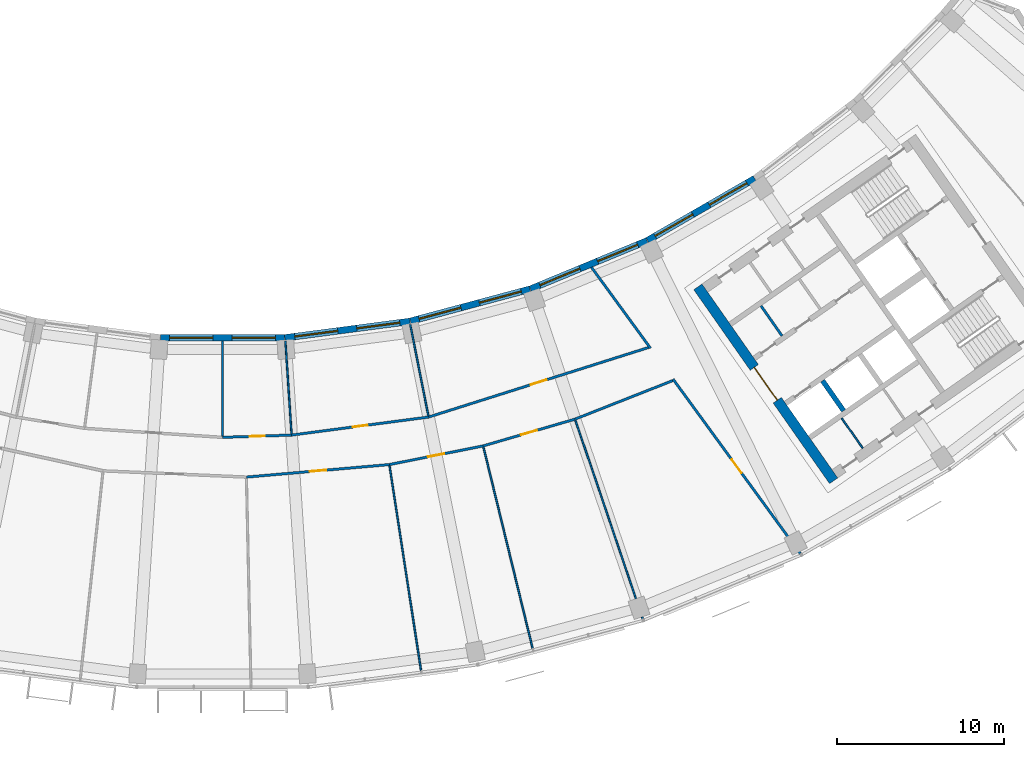
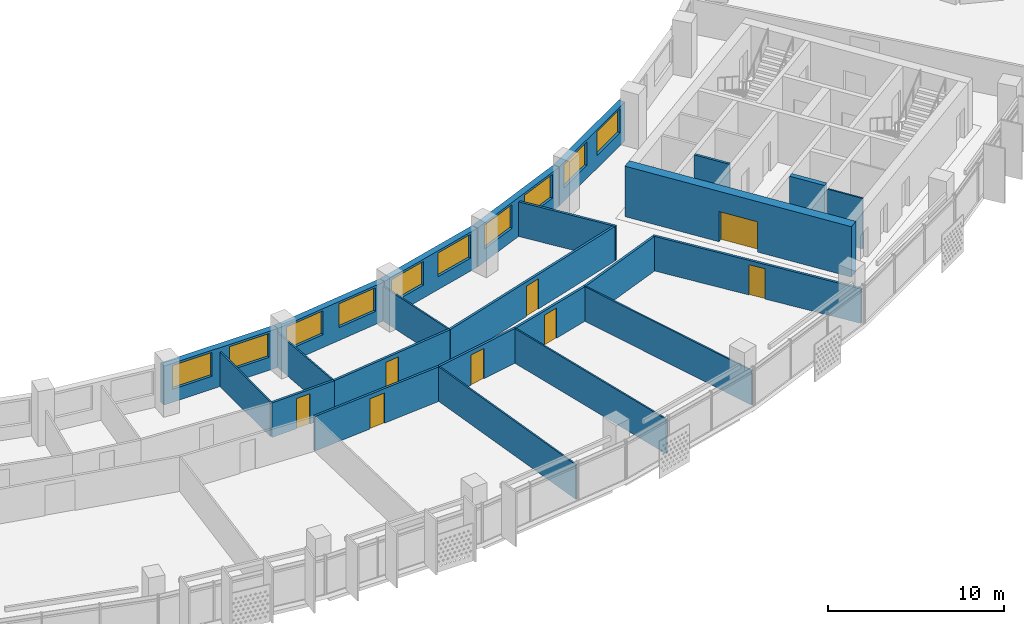
# One storey, part 6 of 27: 24 walls, 10 windows, 8 doors, 18 openings.
"""IFC4 building model written with IfcOpenShell, lengths in metres."""

from ifc_helpers import new_model, si_unit, direction, frame, frame_2d, origin, place, context, subcontext, project, spatial, rectangle, extrude, material, layer, layer_set, type_object, element, fill, save


model = new_model("IFC4")

# Units and contexts
model_context = context("Model", 3, precision=1e-05, world=origin(), true_north=direction((0.0, 1.0)))
body_context = subcontext(model_context, "Body", "Model", "MODEL_VIEW")
ifc_project = project(units=[si_unit("LENGTHUNIT", "METRE"), si_unit("AREAUNIT", "SQUARE_METRE"), si_unit("VOLUMEUNIT", "CUBIC_METRE"), si_unit("PLANEANGLEUNIT", "RADIAN"), si_unit("MASSUNIT", "GRAM", prefix="KILO")], contexts=[model_context])

# Site, building, storey
site_placement = place(None, origin())
site = spatial("IfcSite", under=ifc_project, at=site_placement, CompositionType="ELEMENT")
building_placement = place(site_placement, origin())
building = spatial("IfcBuilding", under=site, at=building_placement, Name="Qamariyya Broadcast Tower", CompositionType="ELEMENT")
storey_placement = place(building_placement, frame((0.0, 0.0, 222.699951171875)))
storey = spatial("IfcBuildingStorey", under=building, at=storey_placement, Name="L53", CompositionType="ELEMENT", Elevation=222.699951171875)

# Wall, opening, door
ifc_material_1 = material(Name="Concrete C60/75", Category="concrete")
ifc_layer_1 = layer(ifc_material_1, 0.60009765625)
ifc_layer_set_1 = layer_set([ifc_layer_1], Name="Core wall 600 mm Concrete C60/75")
wall_type_1 = type_object("IfcWallType", Name="Core wall 600 mm Concrete C60/75", PredefinedType="SHEAR", material=ifc_layer_set_1)
wall_1_placement = place(storey_placement, frame((36.66748046875, -66.005126953125, 0.0), z_axis=(0.0, 0.0, 1.0), x_axis=(-0.573568499524, 0.819157601658, 0.0)))
wall_1 = element("IfcWall", 1, at=wall_1_placement, inside=storey, type_object=wall_type_1, Name="k-E-L53-WA", PredefinedType="SHEAR", context=body_context, shape_type="SweptSolid", body=[
    extrude(rectangle(XDim=14.19970703125, YDim=0.60009765625, at=frame_2d((7.099853515625, 0.0))), origin(), (0.0, 0.0, 1.0), 3.5),
])
opening_1_placement = place(wall_1_placement, frame((5.89990234375, 0.0, 0.0)))
opening_1 = element("IfcOpeningElement", 2, at=opening_1_placement, cuts=wall_1, Name="Opening KD3-E1", PredefinedType="OPENING", context=body_context, shape_type="SweptSolid", body=[
    extrude(rectangle(XDim=2.39990234375, YDim=2.10009765625, at=frame_2d((1.199951171875, 1.050048828125))), frame((0.0, 0.31005859375, 0.0), z_axis=(0.0, -1.0, 0.0), x_axis=(1.0, 0.0, 0.0)), (0.0, 0.0, 1.0), 0.6201171875),
])
ifc_material_2 = material(Name="Steel fire-resisting door leaf", Category="steel")
door_type_1 = type_object("IfcDoorType", Name="Lift lobby door KD3", OperationType="DOUBLE_DOOR_SINGLE_SWING", PredefinedType="DOOR", material=ifc_material_2)
door_1_placement = place(opening_1_placement, origin())
door_1 = element("IfcDoor", 3, at=door_1_placement, inside=storey, type_object=door_type_1, Name="k-E-L53-WA-D1", OperationType="DOUBLE_DOOR_SINGLE_SWING", OverallHeight=2.10009765625, OverallWidth=2.39990234375, PredefinedType="DOOR", context=body_context, shape_type="SweptSolid", body=[
    extrude(rectangle(XDim=2.39990234375, YDim=2.10009765625, at=frame_2d((1.199951171875, 1.050048828125))), frame((0.0, 0.02490234375, 0.0), z_axis=(0.0, -1.0, 0.0), x_axis=(1.0, 0.0, 0.0)), (0.0, 0.0, 1.0), 0.050048828125),
])
fill(opening_1, door_1)

ifc_material_3 = material(Name="Gypsum board partition")
ifc_layer_2 = layer(ifc_material_3, 0.14990234375)
ifc_layer_set_2 = layer_set([ifc_layer_2], Name="Corridor partition 150 EI 60")
wall_type_2 = type_object("IfcWallType", Name="Corridor partition 150 EI 60", PredefinedType="PARTITIONING", material=ifc_layer_set_2)
wall_2_placement = place(storey_placement, frame((0.0, -63.39990234375, 0.0), z_axis=(0.0, 0.0, 1.0), x_axis=(0.999464584765, 0.032719165634, 0.0)))
wall_2 = element("IfcWall", 4, at=wall_2_placement, inside=storey, type_object=wall_type_2, Name="Partition L53-016", PredefinedType="PARTITIONING", context=body_context, shape_type="SweptSolid", body=[
    extrude(rectangle(XDim=4.148681640625, YDim=0.14990234375, at=frame_2d((2.07421875, 0.0))), origin(), (0.0, 0.0, 1.0), 2.400146484375),
])
opening_2_placement = place(wall_2_placement, frame((1.62451171875, 0.0, 0.0)))
opening_2 = element("IfcOpeningElement", 5, at=opening_2_placement, cuts=wall_2, Name="Opening L53-D12", PredefinedType="OPENING", context=body_context, shape_type="SweptSolid", body=[
    extrude(rectangle(XDim=0.89990234375, YDim=2.10009765625, at=frame_2d((0.449951171875, 1.050048828125))), frame((0.0, 0.0849609375, 0.0), z_axis=(0.0, -1.0, 0.0), x_axis=(1.0, 0.0, 0.0)), (0.0, 0.0, 1.0), 0.169921875),
])
ifc_material_4 = material(Name="Timber fire door leaf", Category="wood")
door_type_2 = type_object("IfcDoorType", Name="Fire door 900 x 2100 FD60", OperationType="NOTDEFINED", PredefinedType="DOOR", material=ifc_material_4)
door_2_placement = place(opening_2_placement, origin())
door_2 = element("IfcDoor", 6, at=door_2_placement, inside=storey, type_object=door_type_2, Name="Door L53-D12", OperationType="SINGLE_SWING_RIGHT", OverallHeight=2.10009765625, OverallWidth=0.89990234375, PredefinedType="DOOR", context=body_context, shape_type="SweptSolid", body=[
    extrude(rectangle(XDim=0.89990234375, YDim=2.10009765625, at=frame_2d((0.449951171875, 1.050048828125))), frame((0.0, 0.02490234375, 0.0), z_axis=(0.0, -1.0, 0.0), x_axis=(1.0, 0.0, 0.0)), (0.0, 0.0, 1.0), 0.050048828125),
])
fill(opening_2, door_2)

wall_3_placement = place(storey_placement, frame((10.011474609375, -65.033935546875, 0.0), z_axis=(0.0, 0.0, 1.0), x_axis=(-0.996193717496, -0.087166950281, 0.0)))
wall_3 = element("IfcWall", 7, at=wall_3_placement, inside=storey, type_object=wall_type_2, Name="Partition L53-018", PredefinedType="PARTITIONING", context=body_context, shape_type="SweptSolid", body=[
    extrude(rectangle(XDim=8.60693359375, YDim=0.14990234375, at=frame_2d((4.303466796875, 0.0))), origin(), (0.0, 0.0, 1.0), 2.400146484375),
])
opening_3_placement = place(wall_3_placement, frame((3.803466796875, 0.0, 0.0)))
opening_3 = element("IfcOpeningElement", 8, at=opening_3_placement, cuts=wall_3, Name="Opening L53-D04", PredefinedType="OPENING", context=body_context, shape_type="SweptSolid", body=[
    extrude(rectangle(XDim=1.0, YDim=2.10009765625, at=frame_2d((0.5, 1.050048828125))), frame((0.0, 0.0849609375, 0.0), z_axis=(0.0, -1.0, 0.0), x_axis=(1.0, 0.0, 0.0)), (0.0, 0.0, 1.0), 0.169921875),
])
door_type_3 = type_object("IfcDoorType", Name="Fire door 1000 x 2100 FD60", OperationType="NOTDEFINED", PredefinedType="DOOR", material=ifc_material_4)
door_3_placement = place(opening_3_placement, origin())
door_3 = element("IfcDoor", 9, at=door_3_placement, inside=storey, type_object=door_type_3, Name="Door L53-D04", OperationType="SINGLE_SWING_RIGHT", OverallHeight=2.10009765625, OverallWidth=1.0, PredefinedType="DOOR", context=body_context, shape_type="SweptSolid", body=[
    extrude(rectangle(XDim=1.0, YDim=2.10009765625, at=frame_2d((0.5, 1.050048828125))), frame((0.0, 0.02490234375, 0.0), z_axis=(0.0, -1.0, 0.0), x_axis=(1.0, 0.0, 0.0)), (0.0, 0.0, 1.0), 0.050048828125),
])
fill(opening_3, door_3)

wall_4_placement = place(storey_placement, frame((4.146484375, -63.26416015625, 0.0), z_axis=(0.0, 0.0, 1.0), x_axis=(0.991447881484, 0.130503250152, 0.0)))
wall_4 = element("IfcWall", 10, at=wall_4_placement, inside=storey, type_object=wall_type_2, Name="Partition L53-021", PredefinedType="PARTITIONING", context=body_context, shape_type="SweptSolid", body=[
    extrude(rectangle(XDim=8.293212890625, YDim=0.14990234375, at=frame_2d((4.146484375, 0.0))), origin(), (0.0, 0.0, 1.0), 2.400146484375),
])
opening_4_placement = place(wall_4_placement, frame((3.696533203125, 0.0, 0.0)))
opening_4 = element("IfcOpeningElement", 11, at=opening_4_placement, cuts=wall_4, Name="Opening L53-D13", PredefinedType="OPENING", context=body_context, shape_type="SweptSolid", body=[
    extrude(rectangle(XDim=0.89990234375, YDim=2.10009765625, at=frame_2d((0.449951171875, 1.050048828125))), frame((0.0, 0.0849609375, 0.0), z_axis=(0.0, -1.0, 0.0), x_axis=(1.0, 0.0, 0.0)), (0.0, 0.0, 1.0), 0.169921875),
])
door_4_placement = place(opening_4_placement, origin())
door_4 = element("IfcDoor", 12, at=door_4_placement, inside=storey, type_object=door_type_2, Name="Door L53-D13", OperationType="SINGLE_SWING_RIGHT", OverallHeight=2.10009765625, OverallWidth=0.89990234375, PredefinedType="DOOR", context=body_context, shape_type="SweptSolid", body=[
    extrude(rectangle(XDim=0.89990234375, YDim=2.10009765625, at=frame_2d((0.449951171875, 1.050048828125))), frame((0.0, 0.02490234375, 0.0), z_axis=(0.0, -1.0, 0.0), x_axis=(1.0, 0.0, 0.0)), (0.0, 0.0, 1.0), 0.050048828125),
])
fill(opening_4, door_4)

wall_5_placement = place(storey_placement, frame((15.637939453125, -63.914794921875, 0.0), z_axis=(0.0, 0.0, 1.0), x_axis=(-0.980786374969, -0.195084819182, 0.0)))
wall_5 = element("IfcWall", 13, at=wall_5_placement, inside=storey, type_object=wall_type_2, Name="Partition L53-022", PredefinedType="PARTITIONING", context=body_context, shape_type="SweptSolid", body=[
    extrude(rectangle(XDim=5.736572265625, YDim=0.14990234375, at=frame_2d((2.8681640625, 0.0))), origin(), (0.0, 0.0, 1.0), 2.400146484375),
])
opening_5_placement = place(wall_5_placement, frame((2.368408203125, 0.0, 0.0)))
opening_5 = element("IfcOpeningElement", 14, at=opening_5_placement, cuts=wall_5, Name="Opening L53-D05", PredefinedType="OPENING", context=body_context, shape_type="SweptSolid", body=[
    extrude(rectangle(XDim=1.0, YDim=2.10009765625, at=frame_2d((0.5, 1.050048828125))), frame((0.0, 0.0849609375, 0.0), z_axis=(0.0, -1.0, 0.0), x_axis=(1.0, 0.0, 0.0)), (0.0, 0.0, 1.0), 0.169921875),
])
door_5_placement = place(opening_5_placement, origin())
door_5 = element("IfcDoor", 15, at=door_5_placement, inside=storey, type_object=door_type_3, Name="Door L53-D05", OperationType="SINGLE_SWING_RIGHT", OverallHeight=2.10009765625, OverallWidth=1.0, PredefinedType="DOOR", context=body_context, shape_type="SweptSolid", body=[
    extrude(rectangle(XDim=1.0, YDim=2.10009765625, at=frame_2d((0.5, 1.050048828125))), frame((0.0, 0.02490234375, 0.0), z_axis=(0.0, -1.0, 0.0), x_axis=(1.0, 0.0, 0.0)), (0.0, 0.0, 1.0), 0.050048828125),
])
fill(opening_5, door_5)

wall_6_placement = place(storey_placement, frame((12.36865234375, -62.181884765625, 0.0), z_axis=(0.0, 0.0, 1.0), x_axis=(0.95346124433, 0.30151559754, 0.0)))
wall_6 = element("IfcWall", 16, at=wall_6_placement, inside=storey, type_object=wall_type_2, Name="Partition L53-025", PredefinedType="PARTITIONING", context=body_context, shape_type="SweptSolid", body=[
    extrude(rectangle(XDim=13.83544921875, YDim=0.14990234375, at=frame_2d((6.917724609375, 0.0))), origin(), (0.0, 0.0, 1.0), 2.400146484375),
])
opening_6_placement = place(wall_6_placement, frame((6.417724609375, 0.0, 0.0)))
opening_6 = element("IfcOpeningElement", 17, at=opening_6_placement, cuts=wall_6, Name="Opening L53-D14", PredefinedType="OPENING", context=body_context, shape_type="SweptSolid", body=[
    extrude(rectangle(XDim=1.0, YDim=2.10009765625, at=frame_2d((0.5, 1.050048828125))), frame((0.0, 0.0849609375, 0.0), z_axis=(0.0, -1.0, 0.0), x_axis=(1.0, 0.0, 0.0)), (0.0, 0.0, 1.0), 0.169921875),
])
door_6_placement = place(opening_6_placement, origin())
door_6 = element("IfcDoor", 18, at=door_6_placement, inside=storey, type_object=door_type_3, Name="Door L53-D14", OperationType="SINGLE_SWING_RIGHT", OverallHeight=2.10009765625, OverallWidth=1.0, PredefinedType="DOOR", context=body_context, shape_type="SweptSolid", body=[
    extrude(rectangle(XDim=1.0, YDim=2.10009765625, at=frame_2d((0.5, 1.050048828125))), frame((0.0, 0.02490234375, 0.0), z_axis=(0.0, -1.0, 0.0), x_axis=(1.0, 0.0, 0.0)), (0.0, 0.0, 1.0), 0.050048828125),
])
fill(opening_6, door_6)

wall_7_placement = place(storey_placement, frame((21.150634765625, -62.30810546875, 0.0), z_axis=(0.0, 0.0, 1.0), x_axis=(-0.960055220634, -0.279810602612, 0.0)))
wall_7 = element("IfcWall", 19, at=wall_7_placement, inside=storey, type_object=wall_type_2, Name="Partition L53-026", PredefinedType="PARTITIONING", context=body_context, shape_type="SweptSolid", body=[
    extrude(rectangle(XDim=5.741943359375, YDim=0.14990234375, at=frame_2d((2.87109375, 0.0))), origin(), (0.0, 0.0, 1.0), 2.400146484375),
])
opening_7_placement = place(wall_7_placement, frame((2.37109375, 0.0, 0.0)))
opening_7 = element("IfcOpeningElement", 20, at=opening_7_placement, cuts=wall_7, Name="Opening L53-D06", PredefinedType="OPENING", context=body_context, shape_type="SweptSolid", body=[
    extrude(rectangle(XDim=1.0, YDim=2.10009765625, at=frame_2d((0.5, 1.050048828125))), frame((0.0, 0.0849609375, 0.0), z_axis=(0.0, -1.0, 0.0), x_axis=(1.0, 0.0, 0.0)), (0.0, 0.0, 1.0), 0.169921875),
])
door_7_placement = place(opening_7_placement, origin())
door_7 = element("IfcDoor", 21, at=door_7_placement, inside=storey, type_object=door_type_3, Name="Door L53-D06", OperationType="SINGLE_SWING_RIGHT", OverallHeight=2.10009765625, OverallWidth=1.0, PredefinedType="DOOR", context=body_context, shape_type="SweptSolid", body=[
    extrude(rectangle(XDim=1.0, YDim=2.10009765625, at=frame_2d((0.5, 1.050048828125))), frame((0.0, 0.02490234375, 0.0), z_axis=(0.0, -1.0, 0.0), x_axis=(1.0, 0.0, 0.0)), (0.0, 0.0, 1.0), 0.050048828125),
])
fill(opening_7, door_7)

# Walls
wall_8_placement = place(storey_placement, frame((21.150634765625, -62.30810546875, 0.0), z_axis=(0.0, 0.0, 1.0), x_axis=(0.930254850636, 0.366914040162, 0.0)))
element("IfcWall", 22, at=wall_8_placement, inside=storey, type_object=wall_type_2, Name="Partition L53-028", PredefinedType="PARTITIONING", context=body_context, shape_type="SweptSolid", body=[
    extrude(rectangle(XDim=6.296630859375, YDim=0.14990234375, at=frame_2d((3.1484375, 0.0))), origin(), (0.0, 0.0, 1.0), 2.400146484375),
])
wall_9_placement = place(storey_placement, frame((22.135498046875, -53.1943359375, 0.0), z_axis=(0.0, 0.0, 1.0), x_axis=(0.589297062476, -0.807916438846, 0.0)))
element("IfcWall", 23, at=wall_9_placement, inside=storey, type_object=wall_type_2, Name="Partition L53-029", PredefinedType="PARTITIONING", context=body_context, shape_type="SweptSolid", body=[
    extrude(rectangle(XDim=6.008056640625, YDim=0.14990234375, at=frame_2d((3.00390625, 0.0))), origin(), (0.0, 0.0, 1.0), 2.400146484375),
])

# Wall, opening, door
wall_10_placement = place(storey_placement, frame((34.668212890625, -70.37744140625, 0.0), z_axis=(0.0, 0.0, 1.0), x_axis=(-0.589273648147, 0.807933516819, 0.0)))
wall_10 = element("IfcWall", 24, at=wall_10_placement, inside=storey, type_object=wall_type_2, Name="Partition L53-031", PredefinedType="PARTITIONING", context=body_context, shape_type="SweptSolid", body=[
    extrude(rectangle(XDim=12.956298828125, YDim=0.14990234375, at=frame_2d((6.47802734375, 0.0))), origin(), (0.0, 0.0, 1.0), 2.400146484375),
])
opening_8_placement = place(wall_10_placement, frame((5.97802734375, 0.0, 0.0)))
opening_8 = element("IfcOpeningElement", 25, at=opening_8_placement, cuts=wall_10, Name="Opening L53-D07", PredefinedType="OPENING", context=body_context, shape_type="SweptSolid", body=[
    extrude(rectangle(XDim=1.0, YDim=2.10009765625, at=frame_2d((0.5, 1.050048828125))), frame((0.0, 0.0849609375, 0.0), z_axis=(0.0, -1.0, 0.0), x_axis=(1.0, 0.0, 0.0)), (0.0, 0.0, 1.0), 0.169921875),
])
door_8_placement = place(opening_8_placement, origin())
door_8 = element("IfcDoor", 26, at=door_8_placement, inside=storey, type_object=door_type_3, Name="Door L53-D07", OperationType="SINGLE_SWING_RIGHT", OverallHeight=2.10009765625, OverallWidth=1.0, PredefinedType="DOOR", context=body_context, shape_type="SweptSolid", body=[
    extrude(rectangle(XDim=1.0, YDim=2.10009765625, at=frame_2d((0.5, 1.050048828125))), frame((0.0, 0.02490234375, 0.0), z_axis=(0.0, -1.0, 0.0), x_axis=(1.0, 0.0, 0.0)), (0.0, 0.0, 1.0), 0.050048828125),
])
fill(opening_8, door_8)

# Walls
ifc_material_5 = material(Name="Gypsum board partition on steel studs", Category="steel")
ifc_layer_3 = layer(ifc_material_5, 0.14990234375)
ifc_layer_set_3 = layer_set([ifc_layer_3], Name="Gypsum board partition 150 mm")
wall_type_3 = type_object("IfcWallType", Name="Gypsum board partition 150 mm", PredefinedType="PARTITIONING", material=ifc_layer_set_3)
wall_11_placement = place(storey_placement, frame((33.569580078125, -57.3095703125, 0.0), z_axis=(0.0, 0.0, 1.0), x_axis=(-0.573507030513, 0.819200638399, 0.0)))
element("IfcWall", 27, at=wall_11_placement, inside=storey, type_object=wall_type_3, Name="k-E-L53-NC215", PredefinedType="PARTITIONING", context=body_context, shape_type="SweptSolid", body=[
    extrude(rectangle(XDim=2.199951171875, YDim=0.14990234375, at=frame_2d((1.10009765625, 0.0))), origin(), (0.0, 0.0, 1.0), 3.5),
])
ifc_layer_4 = layer(ifc_material_1, 0.300048828125)
ifc_layer_set_4 = layer_set([ifc_layer_4], Name="Lift shaft wall 300 mm Concrete C60/75")
wall_type_4 = type_object("IfcWallType", Name="Lift shaft wall 300 mm Concrete C60/75", PredefinedType="SOLIDWALL", material=ifc_layer_set_4)
wall_12_placement = place(storey_placement, frame((36.003173828125, -60.000244140625, 0.0), z_axis=(0.0, 0.0, 1.0), x_axis=(0.573581496053, -0.819148501424, 0.0)))
element("IfcWall", 28, at=wall_12_placement, inside=storey, type_object=wall_type_4, Name="k-E-L53-SD0", PredefinedType="SOLIDWALL", context=body_context, shape_type="SweptSolid", body=[
    extrude(rectangle(XDim=2.2001953125, YDim=0.300048828125, at=frame_2d((1.10009765625, 0.0))), origin(), (0.0, 0.0, 1.0), 3.5),
])
ifc_layer_5 = layer(ifc_material_3, 0.10009765625)
ifc_layer_set_5 = layer_set([ifc_layer_5], Name="Partition 100")
wall_type_5 = type_object("IfcWallType", Name="Partition 100", PredefinedType="PARTITIONING", material=ifc_layer_set_5)
wall_13_placement = place(storey_placement, frame((0.0, -57.627197265625, 0.0), z_axis=(0.0, 0.0, 1.0), x_axis=(0.0, -1.0, 0.0)))
element("IfcWall", 29, at=wall_13_placement, inside=storey, type_object=wall_type_5, Name="Partition L53-017", PredefinedType="PARTITIONING", context=body_context, shape_type="SweptSolid", body=[
    extrude(rectangle(XDim=5.69775390625, YDim=0.10009765625, at=frame_2d((2.848876953125, 0.0))), origin(), (0.0, 0.0, 1.0), 2.400146484375),
])
for number, where, z_axis, x_axis, name in (
    (30, (3.777099609375, -57.62646484375, 0.0), (0.0, 0.0, 1.0), (0.065382488891, -0.997860275864, 0.0), "Partition L53-020"),
    (31, (11.266357421875, -56.640380859375, 0.0), (0.0, 0.0, 1.0), (0.195097004053, -0.98078395124, 0.0), "Partition L53-023"),
):
    element("IfcWall", number, at=place(storey_placement, frame(where, z_axis=z_axis, x_axis=x_axis)), inside=storey, type_object=wall_type_5, Name=name, PredefinedType="PARTITIONING", context=body_context, shape_type="SweptSolid", body=[
        extrude(rectangle(XDim=5.574951171875, YDim=0.10009765625, at=frame_2d((2.78759765625, 0.0))), origin(), (0.0, 0.0, 1.0), 2.400146484375),
    ])
for number, where, z_axis, x_axis, name in (
    (32, (11.91357421875, -77.388671875, 0.0), (0.0, 0.0, 1.0), (-0.152160538539, 0.988355791459, 0.0), "Partition L53-024"),
    (33, (18.60888671875, -76.056884765625, 0.0), (0.0, 0.0, 1.0), (-0.237668980718, 0.971346207901, 0.0), "Partition L53-027"),
):
    element("IfcWall", number, at=place(storey_placement, frame(where, z_axis=z_axis, x_axis=x_axis)), inside=storey, type_object=wall_type_5, Name=name, PredefinedType="PARTITIONING", context=body_context, shape_type="SweptSolid", body=[
        extrude(rectangle(XDim=12.42529296875, YDim=0.10009765625, at=frame_2d((6.212646484375, 0.0))), origin(), (0.0, 0.0, 1.0), 2.400146484375),
    ])
wall_14_placement = place(storey_placement, frame((25.217041015625, -74.28662109375, 0.0), z_axis=(0.0, 0.0, 1.0), x_axis=(-0.321447438057, 0.946927423072, 0.0)))
element("IfcWall", 34, at=wall_14_placement, inside=storey, type_object=wall_type_5, Name="Partition L53-030", PredefinedType="PARTITIONING", context=body_context, shape_type="SweptSolid", body=[
    extrude(rectangle(XDim=12.5751953125, YDim=0.10009765625, at=frame_2d((6.28759765625, 0.0))), origin(), (0.0, 0.0, 1.0), 2.400146484375),
])
ifc_material_6 = material(Name="Fire-rated gypsum shaft liner on steel studs", Category="steel")
ifc_layer_6 = layer(ifc_material_6, 0.10009765625)
ifc_layer_set_6 = layer_set([ifc_layer_6], Name="Riser wall 100 mm")
wall_type_6 = type_object("IfcWallType", Name="Riser wall 100 mm", PredefinedType="PLUMBINGWALL", material=ifc_layer_set_6)
wall_15_placement = place(storey_placement, frame((37.150390625, -62.2490234375, 0.0), z_axis=(0.0, 0.0, 1.0), x_axis=(0.573633636671, -0.819111989218, 0.0)))
element("IfcWall", 35, at=wall_15_placement, inside=storey, type_object=wall_type_6, Name="k-E-L53-SP225", PredefinedType="PLUMBINGWALL", context=body_context, shape_type="SweptSolid", body=[
    extrude(rectangle(XDim=2.199951171875, YDim=0.10009765625, at=frame_2d((1.10009765625, 0.0))), origin(), (0.0, 0.0, 1.0), 3.5),
])

# Wall, openings, windows
ifc_material_7 = material(Name="Terracotta", Category="masonry")
ifc_layer_7 = layer(ifc_material_7, 0.39990234375)
ifc_layer_set_7 = layer_set([ifc_layer_7], Name="Terracotta clad wall 400")
wall_type_7 = type_object("IfcWallType", Name="Terracotta clad wall 400", PredefinedType="SOLIDWALL", material=ifc_layer_set_7)
wall_16_placement = place(storey_placement, frame((18.449951171875, -54.50927734375, 0.0), z_axis=(0.0, 0.0, 1.0), x_axis=(-0.965924866111, -0.25882262851, 0.0)))
wall_16 = element("IfcWall", 36, at=wall_16_placement, inside=storey, type_object=wall_type_7, Name="e-wl-L53-in100", PredefinedType="SOLIDWALL", context=body_context, shape_type="SweptSolid", body=[
    extrude(rectangle(XDim=7.426513671875, YDim=0.39990234375, at=frame_2d((3.71337890625, 0.0))), origin(), (0.0, 0.0, 1.0), 2.699951171875),
])
opening_9_placement = place(wall_16_placement, frame((4.28857421875, 0.0, 0.89990234375)))
opening_9 = element("IfcOpeningElement", 37, at=opening_9_placement, cuts=wall_16, Name="Opening W1", PredefinedType="OPENING", context=body_context, shape_type="SweptSolid", body=[
    extrude(rectangle(XDim=2.60009765625, YDim=1.64990234375, at=frame_2d((1.300048828125, 0.824951171875))), frame((0.0, 0.2099609375, 0.0), z_axis=(0.0, -1.0, 0.0), x_axis=(1.0, 0.0, 0.0)), (0.0, 0.0, 1.0), 0.419921875),
])
opening_10_placement = place(wall_16_placement, frame((0.537841796875, 0.0, 0.89990234375)))
opening_10 = element("IfcOpeningElement", 38, at=opening_10_placement, cuts=wall_16, Name="Opening W1", PredefinedType="OPENING", context=body_context, shape_type="SweptSolid", body=[
    extrude(rectangle(XDim=2.60009765625, YDim=1.64990234375, at=frame_2d((1.300048828125, 0.824951171875))), frame((0.0, 0.2099609375, 0.0), z_axis=(0.0, -1.0, 0.0), x_axis=(1.0, 0.0, 0.0)), (0.0, 0.0, 1.0), 0.419921875),
])
ifc_material_8 = material(Name="Clear low-e double glazed unit in aluminium frame", Category="aluminium")
window_type = type_object("IfcWindowType", Name="Ribbon window 2600 x 1650", PartitioningType="SINGLE_PANEL", PredefinedType="WINDOW", material=ifc_material_8)
window_1_placement = place(opening_9_placement, origin())
window_1 = element("IfcWindow", 39, at=window_1_placement, inside=storey, type_object=window_type, Name="e-w-L53-in10-0", OverallHeight=1.64990234375, OverallWidth=2.60009765625, PartitioningType="SINGLE_PANEL", PredefinedType="WINDOW", context=body_context, shape_type="SweptSolid", body=[
    extrude(rectangle(XDim=2.60009765625, YDim=1.64990234375, at=frame_2d((1.300048828125, 0.824951171875))), frame((0.0, 0.030029296875, 0.0), z_axis=(0.0, -1.0, 0.0), x_axis=(1.0, 0.0, 0.0)), (0.0, 0.0, 1.0), 0.06005859375),
])
fill(opening_9, window_1)
window_2_placement = place(opening_10_placement, origin())
window_2 = element("IfcWindow", 40, at=window_2_placement, inside=storey, type_object=window_type, Name="e-w-L53-in10-1", OverallHeight=1.64990234375, OverallWidth=2.60009765625, PartitioningType="SINGLE_PANEL", PredefinedType="WINDOW", context=body_context, shape_type="SweptSolid", body=[
    extrude(rectangle(XDim=2.60009765625, YDim=1.64990234375, at=frame_2d((1.300048828125, 0.824951171875))), frame((0.0, 0.030029296875, 0.0), z_axis=(0.0, -1.0, 0.0), x_axis=(1.0, 0.0, 0.0)), (0.0, 0.0, 1.0), 0.06005859375),
])
fill(opening_10, window_2)

wall_17_placement = place(storey_placement, frame((25.47705078125, -51.60595703125, 0.0), z_axis=(0.0, 0.0, 1.0), x_axis=(-0.923884115122, -0.382672368777, 0.0)))
wall_17 = element("IfcWall", 41, at=wall_17_placement, inside=storey, type_object=wall_type_7, Name="e-wl-L53-in110", PredefinedType="SOLIDWALL", context=body_context, shape_type="SweptSolid", body=[
    extrude(rectangle(XDim=7.578125, YDim=0.39990234375, at=frame_2d((3.7890625, 0.0))), origin(), (0.0, 0.0, 1.0), 2.699951171875),
])
opening_11_placement = place(wall_17_placement, frame((4.364501953125, 0.0, 0.89990234375)))
opening_11 = element("IfcOpeningElement", 42, at=opening_11_placement, cuts=wall_17, Name="Opening W1", PredefinedType="OPENING", context=body_context, shape_type="SweptSolid", body=[
    extrude(rectangle(XDim=2.60009765625, YDim=1.64990234375, at=frame_2d((1.300048828125, 0.824951171875))), frame((0.0, 0.2099609375, 0.0), z_axis=(0.0, -1.0, 0.0), x_axis=(1.0, 0.0, 0.0)), (0.0, 0.0, 1.0), 0.419921875),
])
opening_12_placement = place(wall_17_placement, frame((0.613525390625, 0.0, 0.89990234375)))
opening_12 = element("IfcOpeningElement", 43, at=opening_12_placement, cuts=wall_17, Name="Opening W1", PredefinedType="OPENING", context=body_context, shape_type="SweptSolid", body=[
    extrude(rectangle(XDim=2.60009765625, YDim=1.64990234375, at=frame_2d((1.300048828125, 0.824951171875))), frame((0.0, 0.2099609375, 0.0), z_axis=(0.0, -1.0, 0.0), x_axis=(1.0, 0.0, 0.0)), (0.0, 0.0, 1.0), 0.419921875),
])
window_3_placement = place(opening_11_placement, origin())
window_3 = element("IfcWindow", 44, at=window_3_placement, inside=storey, type_object=window_type, Name="e-w-L53-in11-0", OverallHeight=1.64990234375, OverallWidth=2.60009765625, PartitioningType="SINGLE_PANEL", PredefinedType="WINDOW", context=body_context, shape_type="SweptSolid", body=[
    extrude(rectangle(XDim=2.60009765625, YDim=1.64990234375, at=frame_2d((1.300048828125, 0.824951171875))), frame((0.0, 0.030029296875, 0.0), z_axis=(0.0, -1.0, 0.0), x_axis=(1.0, 0.0, 0.0)), (0.0, 0.0, 1.0), 0.06005859375),
])
fill(opening_11, window_3)
window_4_placement = place(opening_12_placement, origin())
window_4 = element("IfcWindow", 45, at=window_4_placement, inside=storey, type_object=window_type, Name="e-w-L53-in11-1", OverallHeight=1.64990234375, OverallWidth=2.60009765625, PartitioningType="SINGLE_PANEL", PredefinedType="WINDOW", context=body_context, shape_type="SweptSolid", body=[
    extrude(rectangle(XDim=2.60009765625, YDim=1.64990234375, at=frame_2d((1.300048828125, 0.824951171875))), frame((0.0, 0.030029296875, 0.0), z_axis=(0.0, -1.0, 0.0), x_axis=(1.0, 0.0, 0.0)), (0.0, 0.0, 1.0), 0.06005859375),
])
fill(opening_12, window_4)

wall_18_placement = place(storey_placement, frame((31.929443359375, -47.876708984375, 0.0), z_axis=(0.0, 0.0, 1.0), x_axis=(-0.866021353871, -0.500007014591, 0.0)))
wall_18 = element("IfcWall", 46, at=wall_18_placement, inside=storey, type_object=wall_type_7, Name="e-wl-L53-in120", PredefinedType="SOLIDWALL", context=body_context, shape_type="SweptSolid", body=[
    extrude(rectangle(XDim=7.4267578125, YDim=0.39990234375, at=frame_2d((3.71337890625, 0.0))), origin(), (0.0, 0.0, 1.0), 2.699951171875),
])
opening_13_placement = place(wall_18_placement, frame((4.28857421875, 0.0, 0.89990234375)))
opening_13 = element("IfcOpeningElement", 47, at=opening_13_placement, cuts=wall_18, Name="Opening W1", PredefinedType="OPENING", context=body_context, shape_type="SweptSolid", body=[
    extrude(rectangle(XDim=2.60009765625, YDim=1.64990234375, at=frame_2d((1.300048828125, 0.824951171875))), frame((0.0, 0.2099609375, 0.0), z_axis=(0.0, -1.0, 0.0), x_axis=(1.0, 0.0, 0.0)), (0.0, 0.0, 1.0), 0.419921875),
])
opening_14_placement = place(wall_18_placement, frame((0.537841796875, 0.0, 0.89990234375)))
opening_14 = element("IfcOpeningElement", 48, at=opening_14_placement, cuts=wall_18, Name="Opening W1", PredefinedType="OPENING", context=body_context, shape_type="SweptSolid", body=[
    extrude(rectangle(XDim=2.60009765625, YDim=1.64990234375, at=frame_2d((1.300048828125, 0.824951171875))), frame((0.0, 0.2099609375, 0.0), z_axis=(0.0, -1.0, 0.0), x_axis=(1.0, 0.0, 0.0)), (0.0, 0.0, 1.0), 0.419921875),
])
window_5_placement = place(opening_13_placement, origin())
window_5 = element("IfcWindow", 49, at=window_5_placement, inside=storey, type_object=window_type, Name="e-w-L53-in12-0", OverallHeight=1.64990234375, OverallWidth=2.60009765625, PartitioningType="SINGLE_PANEL", PredefinedType="WINDOW", context=body_context, shape_type="SweptSolid", body=[
    extrude(rectangle(XDim=2.60009765625, YDim=1.64990234375, at=frame_2d((1.300048828125, 0.824951171875))), frame((0.0, 0.030029296875, 0.0), z_axis=(0.0, -1.0, 0.0), x_axis=(1.0, 0.0, 0.0)), (0.0, 0.0, 1.0), 0.06005859375),
])
fill(opening_13, window_5)
window_6_placement = place(opening_14_placement, origin())
window_6 = element("IfcWindow", 50, at=window_6_placement, inside=storey, type_object=window_type, Name="e-w-L53-in12-1", OverallHeight=1.64990234375, OverallWidth=2.60009765625, PartitioningType="SINGLE_PANEL", PredefinedType="WINDOW", context=body_context, shape_type="SweptSolid", body=[
    extrude(rectangle(XDim=2.60009765625, YDim=1.64990234375, at=frame_2d((1.300048828125, 0.824951171875))), frame((0.0, 0.030029296875, 0.0), z_axis=(0.0, -1.0, 0.0), x_axis=(1.0, 0.0, 0.0)), (0.0, 0.0, 1.0), 0.06005859375),
])
fill(opening_14, window_6)

wall_19_placement = place(storey_placement, frame((3.713134765625, -57.42724609375, 0.0), z_axis=(0.0, 0.0, 1.0), x_axis=(-1.0, 0.0, 0.0)))
wall_19 = element("IfcWall", 51, at=wall_19_placement, inside=storey, type_object=wall_type_7, Name="e-wl-L53-in80", PredefinedType="SOLIDWALL", context=body_context, shape_type="SweptSolid", body=[
    extrude(rectangle(XDim=7.42626953125, YDim=0.39990234375, at=frame_2d((3.713134765625, 0.0))), origin(), (0.0, 0.0, 1.0), 2.699951171875),
])
opening_15_placement = place(wall_19_placement, frame((4.28857421875, 0.0, 0.89990234375)))
opening_15 = element("IfcOpeningElement", 52, at=opening_15_placement, cuts=wall_19, Name="Opening W1", PredefinedType="OPENING", context=body_context, shape_type="SweptSolid", body=[
    extrude(rectangle(XDim=2.60009765625, YDim=1.64990234375, at=frame_2d((1.300048828125, 0.824951171875))), frame((0.0, 0.2099609375, 0.0), z_axis=(0.0, -1.0, 0.0), x_axis=(1.0, 0.0, 0.0)), (0.0, 0.0, 1.0), 0.419921875),
])
opening_16_placement = place(wall_19_placement, frame((0.537841796875, 0.0, 0.89990234375)))
opening_16 = element("IfcOpeningElement", 53, at=opening_16_placement, cuts=wall_19, Name="Opening W1", PredefinedType="OPENING", context=body_context, shape_type="SweptSolid", body=[
    extrude(rectangle(XDim=2.60009765625, YDim=1.64990234375, at=frame_2d((1.300048828125, 0.824951171875))), frame((0.0, 0.2099609375, 0.0), z_axis=(0.0, -1.0, 0.0), x_axis=(1.0, 0.0, 0.0)), (0.0, 0.0, 1.0), 0.419921875),
])
window_7_placement = place(opening_15_placement, origin())
window_7 = element("IfcWindow", 54, at=window_7_placement, inside=storey, type_object=window_type, Name="e-w-L53-in08-0", OverallHeight=1.64990234375, OverallWidth=2.60009765625, PartitioningType="SINGLE_PANEL", PredefinedType="WINDOW", context=body_context, shape_type="SweptSolid", body=[
    extrude(rectangle(XDim=2.60009765625, YDim=1.64990234375, at=frame_2d((1.300048828125, 0.824951171875))), frame((0.0, 0.030029296875, 0.0), z_axis=(0.0, -1.0, 0.0), x_axis=(1.0, 0.0, 0.0)), (0.0, 0.0, 1.0), 0.06005859375),
])
fill(opening_15, window_7)
window_8_placement = place(opening_16_placement, origin())
window_8 = element("IfcWindow", 55, at=window_8_placement, inside=storey, type_object=window_type, Name="e-w-L53-in08-1", OverallHeight=1.64990234375, OverallWidth=2.60009765625, PartitioningType="SINGLE_PANEL", PredefinedType="WINDOW", context=body_context, shape_type="SweptSolid", body=[
    extrude(rectangle(XDim=2.60009765625, YDim=1.64990234375, at=frame_2d((1.300048828125, 0.824951171875))), frame((0.0, 0.030029296875, 0.0), z_axis=(0.0, -1.0, 0.0), x_axis=(1.0, 0.0, 0.0)), (0.0, 0.0, 1.0), 0.06005859375),
])
fill(opening_16, window_8)

wall_20_placement = place(storey_placement, frame((11.252197265625, -56.44140625, 0.0), z_axis=(0.0, 0.0, 1.0), x_axis=(-0.991446288508, -0.130515351599, 0.0)))
wall_20 = element("IfcWall", 56, at=wall_20_placement, inside=storey, type_object=wall_type_7, Name="e-wl-L53-in90", PredefinedType="SOLIDWALL", context=body_context, shape_type="SweptSolid", body=[
    extrude(rectangle(XDim=7.57763671875, YDim=0.39990234375, at=frame_2d((3.788818359375, 0.0))), origin(), (0.0, 0.0, 1.0), 2.699951171875),
])
opening_17_placement = place(wall_20_placement, frame((4.364501953125, 0.0, 0.89990234375)))
opening_17 = element("IfcOpeningElement", 57, at=opening_17_placement, cuts=wall_20, Name="Opening W1", PredefinedType="OPENING", context=body_context, shape_type="SweptSolid", body=[
    extrude(rectangle(XDim=2.60009765625, YDim=1.64990234375, at=frame_2d((1.300048828125, 0.824951171875))), frame((0.0, 0.2099609375, 0.0), z_axis=(0.0, -1.0, 0.0), x_axis=(1.0, 0.0, 0.0)), (0.0, 0.0, 1.0), 0.419921875),
])
opening_18_placement = place(wall_20_placement, frame((0.613525390625, 0.0, 0.89990234375)))
opening_18 = element("IfcOpeningElement", 58, at=opening_18_placement, cuts=wall_20, Name="Opening W1", PredefinedType="OPENING", context=body_context, shape_type="SweptSolid", body=[
    extrude(rectangle(XDim=2.60009765625, YDim=1.64990234375, at=frame_2d((1.300048828125, 0.824951171875))), frame((0.0, 0.2099609375, 0.0), z_axis=(0.0, -1.0, 0.0), x_axis=(1.0, 0.0, 0.0)), (0.0, 0.0, 1.0), 0.419921875),
])
window_9_placement = place(opening_17_placement, origin())
window_9 = element("IfcWindow", 59, at=window_9_placement, inside=storey, type_object=window_type, Name="e-w-L53-in09-0", OverallHeight=1.64990234375, OverallWidth=2.60009765625, PartitioningType="SINGLE_PANEL", PredefinedType="WINDOW", context=body_context, shape_type="SweptSolid", body=[
    extrude(rectangle(XDim=2.60009765625, YDim=1.64990234375, at=frame_2d((1.300048828125, 0.824951171875))), frame((0.0, 0.030029296875, 0.0), z_axis=(0.0, -1.0, 0.0), x_axis=(1.0, 0.0, 0.0)), (0.0, 0.0, 1.0), 0.06005859375),
])
fill(opening_17, window_9)
window_10_placement = place(opening_18_placement, origin())
window_10 = element("IfcWindow", 60, at=window_10_placement, inside=storey, type_object=window_type, Name="e-w-L53-in09-1", OverallHeight=1.64990234375, OverallWidth=2.60009765625, PartitioningType="SINGLE_PANEL", PredefinedType="WINDOW", context=body_context, shape_type="SweptSolid", body=[
    extrude(rectangle(XDim=2.60009765625, YDim=1.64990234375, at=frame_2d((1.300048828125, 0.824951171875))), frame((0.0, 0.030029296875, 0.0), z_axis=(0.0, -1.0, 0.0), x_axis=(1.0, 0.0, 0.0)), (0.0, 0.0, 1.0), 0.06005859375),
])
fill(opening_18, window_10)

save(model, "model.ifc")
